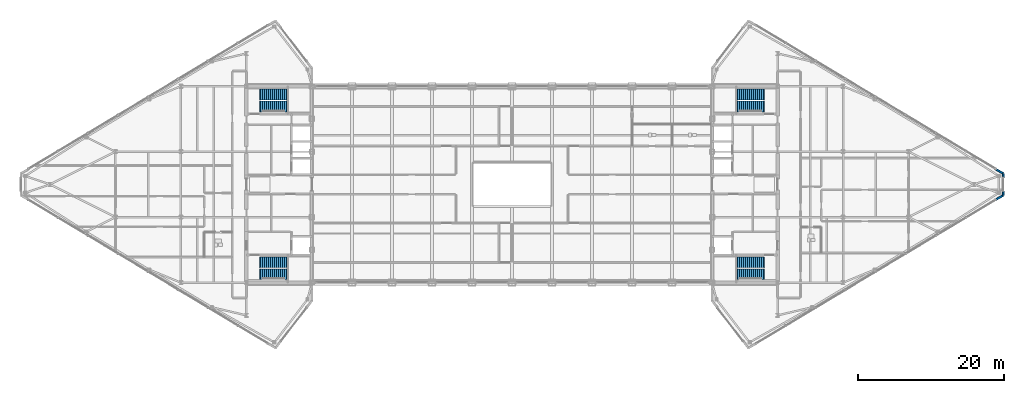
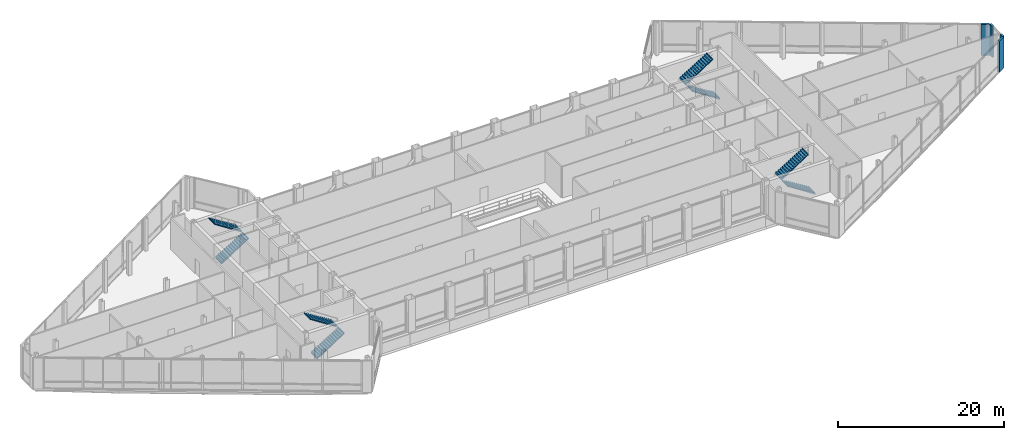
# One storey, part 28 of 30: 8 stair flights, 4 walls, 4 elements without a shape of their own.
"""IFC4 building model written with IfcOpenShell, lengths in metres."""

from ifc_helpers import new_model, si_unit, direction, frame, frame_2d, origin, place, context, subcontext, project, spatial, polyline, rectangle, outline, extrude, material, layer, layer_set, type_object, element, aggregate, save


model = new_model("IFC4")

# Units and contexts
model_context = context("Model", 3, precision=1e-05, world=origin(), true_north=direction((0.0, 1.0)))
body_context = subcontext(model_context, "Body", "Model", "MODEL_VIEW")
ifc_project = project(units=[si_unit("LENGTHUNIT", "METRE"), si_unit("AREAUNIT", "SQUARE_METRE"), si_unit("VOLUMEUNIT", "CUBIC_METRE"), si_unit("PLANEANGLEUNIT", "RADIAN"), si_unit("MASSUNIT", "GRAM", prefix="KILO")], contexts=[model_context])

# Site, building, storey
site_placement = place(None, origin())
site = spatial("IfcSite", under=ifc_project, at=site_placement, CompositionType="ELEMENT")
building_placement = place(site_placement, origin())
building = spatial("IfcBuilding", under=site, at=building_placement, Name="Seokmaru Belvedere", CompositionType="ELEMENT")
storey_placement = place(building_placement, frame((0.0, 0.0, 234.60009765625)))
storey = spatial("IfcBuildingStorey", under=building, at=storey_placement, Name="L62", CompositionType="ELEMENT", Elevation=234.60009765625)

# Walls
ifc_material_1 = material(Name="Anodised Bronze Aluminium", Category="aluminium")
ifc_layer = layer(ifc_material_1, 0.239990234375)
ifc_layer_set = layer_set([ifc_layer], Name="Anodised Bronze Aluminium")
wall_type = type_object("IfcWallType", Name="Tower Corner Spandrel Closure Wall 240", PredefinedType="SOLIDWALL", material=ifc_layer_set)
wall_1_placement = place(storey_placement, frame((66.513916015625, -2.091796875, 0.0), z_axis=(0.0, 0.0, 1.0), x_axis=(0.85743623509, 0.514590228002, 0.0)))
element("IfcWall", 1, at=wall_1_placement, inside=storey, type_object=wall_type, Name="L62 E Corner Closure Pier 1B", PredefinedType="SOLIDWALL", context=body_context, shape_type="SweptSolid", body=[
    extrude(rectangle(XDim=1.14013671875, YDim=0.239990234375, at=frame_2d((0.570068359375, 0.0))), origin(), (0.0, 0.0, 1.0), 4.579833984375),
])
for number, where, z_axis, x_axis, name in (
    (2, (67.5, -1.489990234375, 0.0), (0.0, 0.0, 1.0), (0.0, 1.0, 0.0), "L62 E Apex Closure Pier 2A"),
    (3, (67.5, 0.949951171875, 0.0), (0.0, 0.0, 1.0), (0.0, 1.0, 0.0), "L62 E Apex Closure Pier 2B"),
):
    element("IfcWall", number, at=place(storey_placement, frame(where, z_axis=z_axis, x_axis=x_axis)), inside=storey, type_object=wall_type, Name=name, PredefinedType="SOLIDWALL", context=body_context, shape_type="SweptSolid", body=[
        extrude(rectangle(XDim=0.5400390625, YDim=0.239990234375, at=frame_2d((0.27001953125, 0.0))), origin(), (0.0, 0.0, 1.0), 4.579833984375),
    ])
wall_2_placement = place(storey_placement, frame((67.491455078125, 1.505126953125, 0.0), z_axis=(0.0, 0.0, 1.0), x_axis=(-0.85743623509, 0.514590228002, 0.0)))
element("IfcWall", 4, at=wall_2_placement, inside=storey, type_object=wall_type, Name="L62 E Corner Closure Pier 3A", PredefinedType="SOLIDWALL", context=body_context, shape_type="SweptSolid", body=[
    extrude(rectangle(XDim=1.14013671875, YDim=0.239990234375, at=frame_2d((0.570068359375, 0.0))), origin(), (0.0, 0.0, 1.0), 4.579833984375),
])

# Stair, stair flights
ifc_material_2 = material(Name="Concrete C40 (40 MPa)", Category="concrete")
stair_type = type_object("IfcStairType", Name="Basement Core Dog-Leg Stair 4800", PredefinedType="TWO_STRAIGHT_RUN_STAIR", material=ifc_material_2)
stair_1_placement = place(storey_placement, origin())
stair_1 = element("IfcStair", 5, at=stair_1_placement, inside=storey, type_object=stair_type, Name="L62 Special Escape Stair ST-W1", PredefinedType="TWO_STRAIGHT_RUN_STAIR")
stair_flight_type = type_object("IfcStairFlightType", Name="Reinforced Concrete Stair Flight 1500", PredefinedType="STRAIGHT", material=ifc_material_2)
stair_flight_1_placement = place(storey_placement, frame((-34.60009765625, -12.35009765625, 0.0), z_axis=(0.0, 0.0, 1.0), x_axis=(1.0, 0.0, 0.0)))
stair_flight_1 = element("IfcStairFlight", 6, at=stair_flight_1_placement, type_object=stair_flight_type, Name="ST-W1 flight 1", NumberOfRisers=14, NumberOfTreads=13, PredefinedType="STRAIGHT", RiserHeight=0.171428571, TreadLength=0.28, context=body_context, shape_type="SweptSolid", body=[
    extrude(outline(polyline([(-0.080078125, 0.0), (0.0, 0.17138671875), (0.280029296875, 0.17138671875), (0.280029296875, 0.3427734375), (0.56005859375, 0.3427734375), (0.56005859375, 0.514404296875), (0.840087890625, 0.514404296875), (0.840087890625, 0.685791015625), (1.1201171875, 0.685791015625), (1.1201171875, 0.857177734375), (1.39990234375, 0.857177734375), (1.39990234375, 1.028564453125), (1.679931640625, 1.028564453125), (1.679931640625, 1.199951171875), (1.9599609375, 1.199951171875), (1.9599609375, 1.371337890625), (2.239990234375, 1.371337890625), (2.239990234375, 1.54296875), (2.52001953125, 1.54296875), (2.52001953125, 1.71435546875), (2.800048828125, 1.71435546875), (2.800048828125, 1.8857421875), (3.080078125, 1.8857421875), (3.080078125, 2.05712890625), (3.360107421875, 2.05712890625), (3.360107421875, 2.228515625), (3.639892578125, 2.228515625), (3.639892578125, 2.39990234375), (3.719970703125, 2.39990234375), (3.719970703125, 2.2099609375), (3.639892578125, 2.2099609375), (0.0, -0.159912109375), (-0.080078125, -0.159912109375), (-0.080078125, 0.0)])), frame((0.0, 0.75, 0.0), z_axis=(0.0, -1.0, 0.0), x_axis=(1.0, 0.0, 0.0)), (0.0, 0.0, 1.0), 1.5),
])
stair_flight_2_placement = place(storey_placement, frame((-30.9599609375, -10.7099609375, 2.39990234375), z_axis=(0.0, 0.0, 1.0), x_axis=(-1.0, 0.0, 0.0)))
stair_flight_2 = element("IfcStairFlight", 7, at=stair_flight_2_placement, type_object=stair_flight_type, Name="ST-W1 flight 2", NumberOfRisers=14, NumberOfTreads=13, PredefinedType="STRAIGHT", RiserHeight=0.171428571, TreadLength=0.28, context=body_context, shape_type="SweptSolid", body=[
    extrude(outline(polyline([(-0.080078125, 0.0), (0.0, 0.17138671875), (0.280029296875, 0.17138671875), (0.280029296875, 0.3427734375), (0.56005859375, 0.3427734375), (0.56005859375, 0.514404296875), (0.840087890625, 0.514404296875), (0.840087890625, 0.685791015625), (1.1201171875, 0.685791015625), (1.1201171875, 0.857177734375), (1.39990234375, 0.857177734375), (1.39990234375, 1.028564453125), (1.679931640625, 1.028564453125), (1.679931640625, 1.199951171875), (1.9599609375, 1.199951171875), (1.9599609375, 1.371337890625), (2.239990234375, 1.371337890625), (2.239990234375, 1.54296875), (2.52001953125, 1.54296875), (2.52001953125, 1.71435546875), (2.800048828125, 1.71435546875), (2.800048828125, 1.8857421875), (3.080078125, 1.8857421875), (3.080078125, 2.05712890625), (3.360107421875, 2.05712890625), (3.360107421875, 2.228515625), (3.639892578125, 2.228515625), (3.639892578125, 2.39990234375), (3.719970703125, 2.39990234375), (3.719970703125, 2.2099609375), (3.639892578125, 2.2099609375), (0.0, -0.159912109375), (-0.080078125, -0.159912109375), (-0.080078125, 0.0)])), frame((0.0, 0.75, 0.0), z_axis=(0.0, -1.0, 0.0), x_axis=(1.0, 0.0, 0.0)), (0.0, 0.0, 1.0), 1.5),
])
aggregate(stair_1, [stair_flight_1, stair_flight_2])

stair_2_placement = place(storey_placement, origin())
stair_2 = element("IfcStair", 8, at=stair_2_placement, inside=storey, type_object=stair_type, Name="L62 Special Escape Stair ST-W2", PredefinedType="TWO_STRAIGHT_RUN_STAIR")
stair_flight_3_placement = place(storey_placement, frame((-34.60009765625, 10.7099609375, 0.0), z_axis=(0.0, 0.0, 1.0), x_axis=(1.0, 0.0, 0.0)))
stair_flight_3 = element("IfcStairFlight", 9, at=stair_flight_3_placement, type_object=stair_flight_type, Name="ST-W2 flight 1", NumberOfRisers=14, NumberOfTreads=13, PredefinedType="STRAIGHT", RiserHeight=0.171428571, TreadLength=0.28, context=body_context, shape_type="SweptSolid", body=[
    extrude(outline(polyline([(-0.080078125, 0.0), (0.0, 0.17138671875), (0.280029296875, 0.17138671875), (0.280029296875, 0.3427734375), (0.56005859375, 0.3427734375), (0.56005859375, 0.514404296875), (0.840087890625, 0.514404296875), (0.840087890625, 0.685791015625), (1.1201171875, 0.685791015625), (1.1201171875, 0.857177734375), (1.39990234375, 0.857177734375), (1.39990234375, 1.028564453125), (1.679931640625, 1.028564453125), (1.679931640625, 1.199951171875), (1.9599609375, 1.199951171875), (1.9599609375, 1.371337890625), (2.239990234375, 1.371337890625), (2.239990234375, 1.54296875), (2.52001953125, 1.54296875), (2.52001953125, 1.71435546875), (2.800048828125, 1.71435546875), (2.800048828125, 1.8857421875), (3.080078125, 1.8857421875), (3.080078125, 2.05712890625), (3.360107421875, 2.05712890625), (3.360107421875, 2.228515625), (3.639892578125, 2.228515625), (3.639892578125, 2.39990234375), (3.719970703125, 2.39990234375), (3.719970703125, 2.2099609375), (3.639892578125, 2.2099609375), (0.0, -0.159912109375), (-0.080078125, -0.159912109375), (-0.080078125, 0.0)])), frame((0.0, 0.75, 0.0), z_axis=(0.0, -1.0, 0.0), x_axis=(1.0, 0.0, 0.0)), (0.0, 0.0, 1.0), 1.5),
])
stair_flight_4_placement = place(storey_placement, frame((-30.9599609375, 12.35009765625, 2.39990234375), z_axis=(0.0, 0.0, 1.0), x_axis=(-1.0, 0.0, 0.0)))
stair_flight_4 = element("IfcStairFlight", 10, at=stair_flight_4_placement, type_object=stair_flight_type, Name="ST-W2 flight 2", NumberOfRisers=14, NumberOfTreads=13, PredefinedType="STRAIGHT", RiserHeight=0.171428571, TreadLength=0.28, context=body_context, shape_type="SweptSolid", body=[
    extrude(outline(polyline([(-0.080078125, 0.0), (0.0, 0.17138671875), (0.280029296875, 0.17138671875), (0.280029296875, 0.3427734375), (0.56005859375, 0.3427734375), (0.56005859375, 0.514404296875), (0.840087890625, 0.514404296875), (0.840087890625, 0.685791015625), (1.1201171875, 0.685791015625), (1.1201171875, 0.857177734375), (1.39990234375, 0.857177734375), (1.39990234375, 1.028564453125), (1.679931640625, 1.028564453125), (1.679931640625, 1.199951171875), (1.9599609375, 1.199951171875), (1.9599609375, 1.371337890625), (2.239990234375, 1.371337890625), (2.239990234375, 1.54296875), (2.52001953125, 1.54296875), (2.52001953125, 1.71435546875), (2.800048828125, 1.71435546875), (2.800048828125, 1.8857421875), (3.080078125, 1.8857421875), (3.080078125, 2.05712890625), (3.360107421875, 2.05712890625), (3.360107421875, 2.228515625), (3.639892578125, 2.228515625), (3.639892578125, 2.39990234375), (3.719970703125, 2.39990234375), (3.719970703125, 2.2099609375), (3.639892578125, 2.2099609375), (0.0, -0.159912109375), (-0.080078125, -0.159912109375), (-0.080078125, 0.0)])), frame((0.0, 0.75, 0.0), z_axis=(0.0, -1.0, 0.0), x_axis=(1.0, 0.0, 0.0)), (0.0, 0.0, 1.0), 1.5),
])
aggregate(stair_2, [stair_flight_3, stair_flight_4])

stair_3_placement = place(storey_placement, origin())
stair_3 = element("IfcStair", 11, at=stair_3_placement, inside=storey, type_object=stair_type, Name="L62 Special Escape Stair ST-E1", PredefinedType="TWO_STRAIGHT_RUN_STAIR")
stair_flight_5_placement = place(storey_placement, frame((34.60009765625, -12.35009765625, 0.0), z_axis=(0.0, 0.0, 1.0), x_axis=(-1.0, 0.0, 0.0)))
stair_flight_5 = element("IfcStairFlight", 12, at=stair_flight_5_placement, type_object=stair_flight_type, Name="ST-E1 flight 1", NumberOfRisers=14, NumberOfTreads=13, PredefinedType="STRAIGHT", RiserHeight=0.171428571, TreadLength=0.28, context=body_context, shape_type="SweptSolid", body=[
    extrude(outline(polyline([(-0.080078125, 0.0), (0.0, 0.17138671875), (0.280029296875, 0.17138671875), (0.280029296875, 0.3427734375), (0.56005859375, 0.3427734375), (0.56005859375, 0.514404296875), (0.840087890625, 0.514404296875), (0.840087890625, 0.685791015625), (1.1201171875, 0.685791015625), (1.1201171875, 0.857177734375), (1.39990234375, 0.857177734375), (1.39990234375, 1.028564453125), (1.679931640625, 1.028564453125), (1.679931640625, 1.199951171875), (1.9599609375, 1.199951171875), (1.9599609375, 1.371337890625), (2.239990234375, 1.371337890625), (2.239990234375, 1.54296875), (2.52001953125, 1.54296875), (2.52001953125, 1.71435546875), (2.800048828125, 1.71435546875), (2.800048828125, 1.8857421875), (3.080078125, 1.8857421875), (3.080078125, 2.05712890625), (3.360107421875, 2.05712890625), (3.360107421875, 2.228515625), (3.639892578125, 2.228515625), (3.639892578125, 2.39990234375), (3.719970703125, 2.39990234375), (3.719970703125, 2.2099609375), (3.639892578125, 2.2099609375), (0.0, -0.159912109375), (-0.080078125, -0.159912109375), (-0.080078125, 0.0)])), frame((0.0, 0.75, 0.0), z_axis=(0.0, -1.0, 0.0), x_axis=(1.0, 0.0, 0.0)), (0.0, 0.0, 1.0), 1.5),
])
stair_flight_6_placement = place(storey_placement, frame((30.9599609375, -10.7099609375, 2.39990234375), z_axis=(0.0, 0.0, 1.0), x_axis=(1.0, 0.0, 0.0)))
stair_flight_6 = element("IfcStairFlight", 13, at=stair_flight_6_placement, type_object=stair_flight_type, Name="ST-E1 flight 2", NumberOfRisers=14, NumberOfTreads=13, PredefinedType="STRAIGHT", RiserHeight=0.171428571, TreadLength=0.28, context=body_context, shape_type="SweptSolid", body=[
    extrude(outline(polyline([(-0.080078125, 0.0), (0.0, 0.17138671875), (0.280029296875, 0.17138671875), (0.280029296875, 0.3427734375), (0.56005859375, 0.3427734375), (0.56005859375, 0.514404296875), (0.840087890625, 0.514404296875), (0.840087890625, 0.685791015625), (1.1201171875, 0.685791015625), (1.1201171875, 0.857177734375), (1.39990234375, 0.857177734375), (1.39990234375, 1.028564453125), (1.679931640625, 1.028564453125), (1.679931640625, 1.199951171875), (1.9599609375, 1.199951171875), (1.9599609375, 1.371337890625), (2.239990234375, 1.371337890625), (2.239990234375, 1.54296875), (2.52001953125, 1.54296875), (2.52001953125, 1.71435546875), (2.800048828125, 1.71435546875), (2.800048828125, 1.8857421875), (3.080078125, 1.8857421875), (3.080078125, 2.05712890625), (3.360107421875, 2.05712890625), (3.360107421875, 2.228515625), (3.639892578125, 2.228515625), (3.639892578125, 2.39990234375), (3.719970703125, 2.39990234375), (3.719970703125, 2.2099609375), (3.639892578125, 2.2099609375), (0.0, -0.159912109375), (-0.080078125, -0.159912109375), (-0.080078125, 0.0)])), frame((0.0, 0.75, 0.0), z_axis=(0.0, -1.0, 0.0), x_axis=(1.0, 0.0, 0.0)), (0.0, 0.0, 1.0), 1.5),
])
aggregate(stair_3, [stair_flight_5, stair_flight_6])

stair_4_placement = place(storey_placement, origin())
stair_4 = element("IfcStair", 14, at=stair_4_placement, inside=storey, type_object=stair_type, Name="L62 Special Escape Stair ST-E2", PredefinedType="TWO_STRAIGHT_RUN_STAIR")
stair_flight_7_placement = place(storey_placement, frame((34.60009765625, 10.7099609375, 0.0), z_axis=(0.0, 0.0, 1.0), x_axis=(-1.0, 0.0, 0.0)))
stair_flight_7 = element("IfcStairFlight", 15, at=stair_flight_7_placement, type_object=stair_flight_type, Name="ST-E2 flight 1", NumberOfRisers=14, NumberOfTreads=13, PredefinedType="STRAIGHT", RiserHeight=0.171428571, TreadLength=0.28, context=body_context, shape_type="SweptSolid", body=[
    extrude(outline(polyline([(-0.080078125, 0.0), (0.0, 0.17138671875), (0.280029296875, 0.17138671875), (0.280029296875, 0.3427734375), (0.56005859375, 0.3427734375), (0.56005859375, 0.514404296875), (0.840087890625, 0.514404296875), (0.840087890625, 0.685791015625), (1.1201171875, 0.685791015625), (1.1201171875, 0.857177734375), (1.39990234375, 0.857177734375), (1.39990234375, 1.028564453125), (1.679931640625, 1.028564453125), (1.679931640625, 1.199951171875), (1.9599609375, 1.199951171875), (1.9599609375, 1.371337890625), (2.239990234375, 1.371337890625), (2.239990234375, 1.54296875), (2.52001953125, 1.54296875), (2.52001953125, 1.71435546875), (2.800048828125, 1.71435546875), (2.800048828125, 1.8857421875), (3.080078125, 1.8857421875), (3.080078125, 2.05712890625), (3.360107421875, 2.05712890625), (3.360107421875, 2.228515625), (3.639892578125, 2.228515625), (3.639892578125, 2.39990234375), (3.719970703125, 2.39990234375), (3.719970703125, 2.2099609375), (3.639892578125, 2.2099609375), (0.0, -0.159912109375), (-0.080078125, -0.159912109375), (-0.080078125, 0.0)])), frame((0.0, 0.75, 0.0), z_axis=(0.0, -1.0, 0.0), x_axis=(1.0, 0.0, 0.0)), (0.0, 0.0, 1.0), 1.5),
])
stair_flight_8_placement = place(storey_placement, frame((30.9599609375, 12.35009765625, 2.39990234375), z_axis=(0.0, 0.0, 1.0), x_axis=(1.0, 0.0, 0.0)))
stair_flight_8 = element("IfcStairFlight", 16, at=stair_flight_8_placement, type_object=stair_flight_type, Name="ST-E2 flight 2", NumberOfRisers=14, NumberOfTreads=13, PredefinedType="STRAIGHT", RiserHeight=0.171428571, TreadLength=0.28, context=body_context, shape_type="SweptSolid", body=[
    extrude(outline(polyline([(-0.080078125, 0.0), (0.0, 0.17138671875), (0.280029296875, 0.17138671875), (0.280029296875, 0.3427734375), (0.56005859375, 0.3427734375), (0.56005859375, 0.514404296875), (0.840087890625, 0.514404296875), (0.840087890625, 0.685791015625), (1.1201171875, 0.685791015625), (1.1201171875, 0.857177734375), (1.39990234375, 0.857177734375), (1.39990234375, 1.028564453125), (1.679931640625, 1.028564453125), (1.679931640625, 1.199951171875), (1.9599609375, 1.199951171875), (1.9599609375, 1.371337890625), (2.239990234375, 1.371337890625), (2.239990234375, 1.54296875), (2.52001953125, 1.54296875), (2.52001953125, 1.71435546875), (2.800048828125, 1.71435546875), (2.800048828125, 1.8857421875), (3.080078125, 1.8857421875), (3.080078125, 2.05712890625), (3.360107421875, 2.05712890625), (3.360107421875, 2.228515625), (3.639892578125, 2.228515625), (3.639892578125, 2.39990234375), (3.719970703125, 2.39990234375), (3.719970703125, 2.2099609375), (3.639892578125, 2.2099609375), (0.0, -0.159912109375), (-0.080078125, -0.159912109375), (-0.080078125, 0.0)])), frame((0.0, 0.75, 0.0), z_axis=(0.0, -1.0, 0.0), x_axis=(1.0, 0.0, 0.0)), (0.0, 0.0, 1.0), 1.5),
])
aggregate(stair_4, [stair_flight_7, stair_flight_8])

save(model, "model.ifc")
